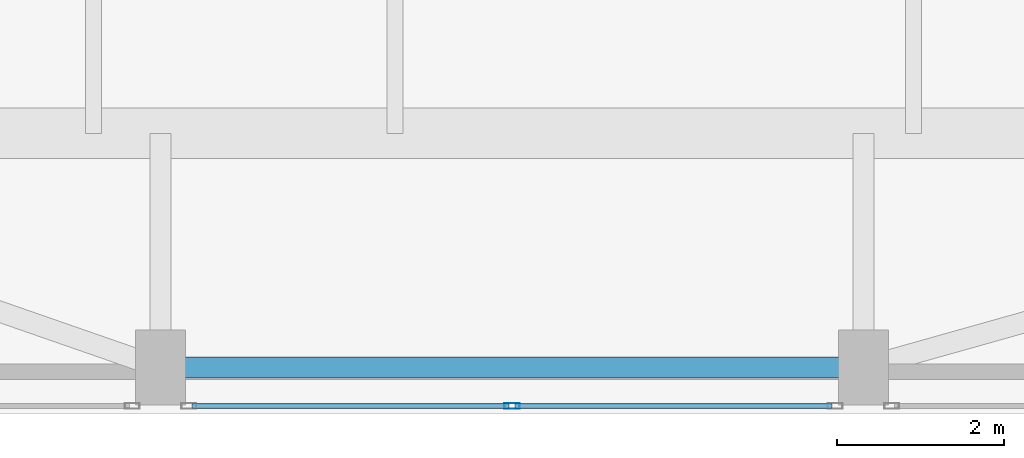
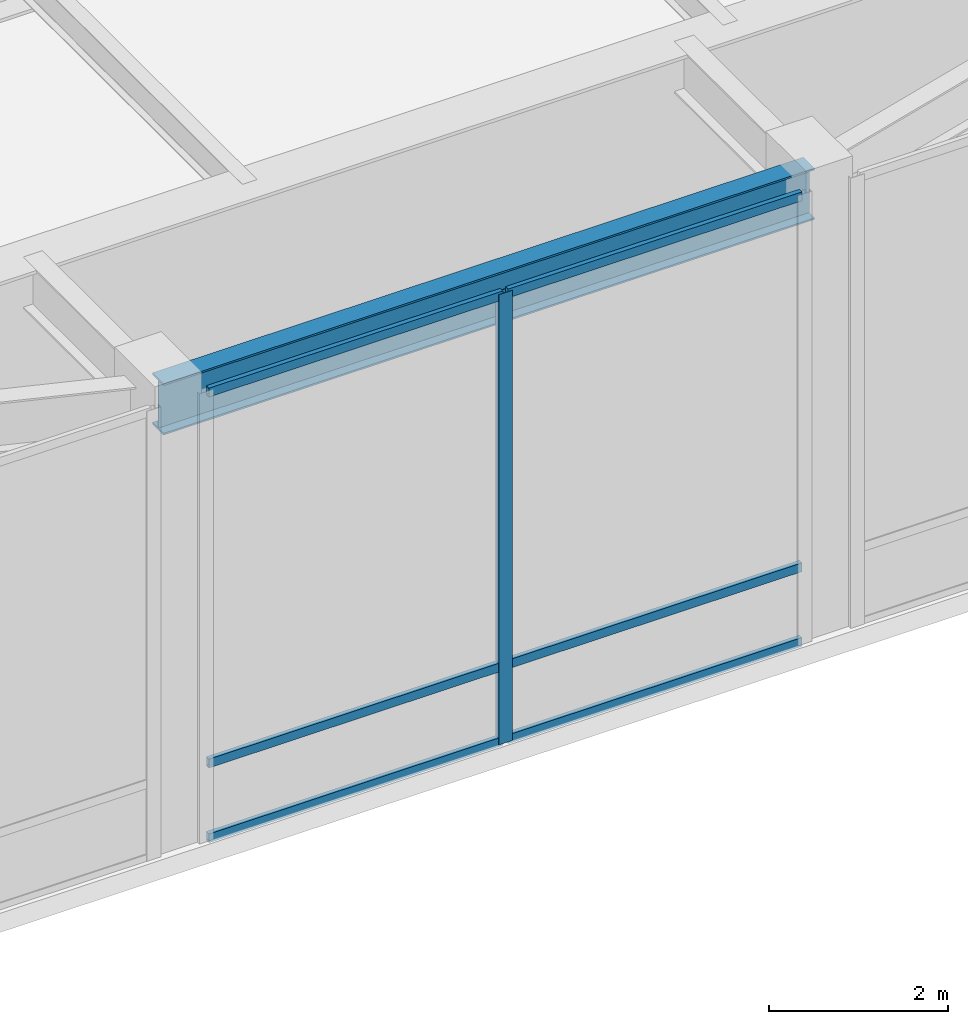
# One storey, part 3 of 50: 7 members, 1 beam, 1 element without a shape of its own.
"""IFC4 building model written with IfcOpenShell, lengths in metres."""

from ifc_helpers import new_model, si_unit, direction, frame, origin, origin_2d, place, context, subcontext, project, spatial, hollow_rectangle, i_section, extrude, source, transform, mapped, material, layer, layer_set, material_profile, profile_set, type_object, type_shapes, element, aggregate, save


model = new_model("IFC4")

# Units and contexts
model_context = context("Model", 3, precision=1e-05, world=origin(), true_north=direction((0.0, 1.0)))
body_context = subcontext(model_context, "Body", "Model", "MODEL_VIEW")
ifc_project = project(units=[si_unit("LENGTHUNIT", "METRE"), si_unit("AREAUNIT", "SQUARE_METRE"), si_unit("VOLUMEUNIT", "CUBIC_METRE"), si_unit("PLANEANGLEUNIT", "RADIAN"), si_unit("MASSUNIT", "GRAM", prefix="KILO")], contexts=[model_context])

# Site, building, storey
site_placement = place(None, origin())
site = spatial("IfcSite", under=ifc_project, at=site_placement, CompositionType="ELEMENT")
building_placement = place(site_placement, origin())
building = spatial("IfcBuilding", under=site, at=building_placement, Name="Tolvann Quenvar Hotel", CompositionType="ELEMENT")
storey_placement = place(building_placement, frame((0.0, 0.0, 16.0)))
storey = spatial("IfcBuildingStorey", under=building, at=storey_placement, Name="L03", CompositionType="ELEMENT", Elevation=16.0)

# Beam
ifc_material_1 = material(Name="Steel Grade 350", Category="steel")
ifc_material_profile_1 = material_profile(ifc_material_1, i_section(OverallWidth=0.25, OverallDepth=0.699951171875, WebThickness=0.010009765625, FlangeThickness=0.02392578125, at=origin_2d()), Name="700WB150")
ifc_profile_set_1 = profile_set([ifc_material_profile_1], Name="Steel Grade 350")
beam_type = type_object("IfcBeamType", Name="BM_GIRD_700WB150", PredefinedType="BEAM", material=ifc_profile_set_1)
shared_shape_1 = source(origin(), body_context, "Body", "SweptSolid", [
    extrude(i_section(OverallWidth=0.25, OverallDepth=0.699951171875, WebThickness=0.010009765625, FlangeThickness=0.02392578125, at=origin_2d()), origin(), (0.0, 0.0, 1.0), 8.400146484375),
])
type_shapes(beam_type, [shared_shape_1])
beam_placement = place(storey_placement, frame((0.39990234375, -1.949951171875, 5.7900390625), z_axis=(1.0, 0.0, 0.0), x_axis=(0.0, 1.0, 0.0)))
element("IfcBeam", 1, at=beam_placement, inside=storey, type_object=beam_type, Name="BM-L03-EWS-W1", PredefinedType="BEAM", context=body_context, shape_type="MappedRepresentation", body=[
    mapped(shared_shape_1, transform((0.0, 0.0, 0.0), x_axis=(1.0, 0.0, 0.0), y_axis=(0.0, 1.0, 0.0), z_axis=(0.0, 0.0, 1.0), scale=1.0)),
])

# Curtain wall, members
ifc_material_2 = material(Name="Thermally broken anodised architectural aluminium 6063-T6 and laminated low-E glass", Category="aluminium")
ifc_layer = layer(ifc_material_2, 0.179931640625)
ifc_layer_set = layer_set([ifc_layer], Name="Thermally broken anodised architectural aluminium 6063-T6 and laminated low-E glass")
curtain_wall_type = type_object("IfcCurtainWallType", Name="CW_SYS_BALL_02", PredefinedType="USERDEFINED", material=ifc_layer_set)
curtain_wall_placement = place(storey_placement, origin())
curtain_wall = element("IfcCurtainWall", 2, at=curtain_wall_placement, inside=storey, type_object=curtain_wall_type, Name="Curtain Wall CW-BALL-02 (CWR-L03-E08-S2)", ObjectType="UNITISED CURTAIN WALL", PredefinedType="USERDEFINED")
ifc_material_3 = material(Name="Anodised architectural aluminium 6063-T6 framing", Category="aluminium")
ifc_material_profile_2 = material_profile(ifc_material_3, hollow_rectangle(XDim=0.06005859375, YDim=0.1201171875, WallThickness=0.00341796875, at=origin_2d()), Name="120x60x3.5RHS")
ifc_profile_set_2 = profile_set([ifc_material_profile_2], Name="Anodised architectural aluminium 6063-T6 framing")
member_type_1 = type_object("IfcMemberType", Name="CW_TRAN_120x60", PredefinedType="USERDEFINED", material=ifc_profile_set_2)
shared_shape_2 = source(origin(), body_context, "Body", "SweptSolid", [
    extrude(hollow_rectangle(XDim=0.06005859375, YDim=0.1201171875, WallThickness=0.00341796875, at=origin_2d()), origin(), (0.0, 0.0, 1.0), 3.791015625),
])
type_shapes(member_type_1, [shared_shape_2])
member_1_placement = place(storey_placement, frame((0.77392578125, -2.409912109375, 0.030029296875), z_axis=(1.0, 0.0, 0.0), x_axis=(0.0, 1.0, 0.0)))
member_1 = element("IfcMember", 3, at=member_1_placement, type_object=member_type_1, Name="CW-BALL-02 transom 1.1", ObjectType="TRANSOM", PredefinedType="USERDEFINED", context=body_context, shape_type="MappedRepresentation", body=[
    mapped(shared_shape_2, transform((0.0, 0.0, 0.0), x_axis=(1.0, 0.0, 0.0), y_axis=(0.0, 1.0, 0.0), z_axis=(0.0, 0.0, 1.0), scale=1.0)),
])
member_2_placement = place(storey_placement, frame((0.77392578125, -2.409912109375, 1.050048828125), z_axis=(1.0, 0.0, 0.0), x_axis=(0.0, 1.0, 0.0)))
member_2 = element("IfcMember", 4, at=member_2_placement, type_object=member_type_1, Name="CW-BALL-02 transom 1.2", ObjectType="TRANSOM", PredefinedType="USERDEFINED", context=body_context, shape_type="MappedRepresentation", body=[
    mapped(shared_shape_2, transform((0.0, 0.0, 0.0), x_axis=(1.0, 0.0, 0.0), y_axis=(0.0, 1.0, 0.0), z_axis=(0.0, 0.0, 1.0), scale=1.0)),
])
member_3_placement = place(storey_placement, frame((0.77392578125, -2.409912109375, 6.110107421875), z_axis=(1.0, 0.0, 0.0), x_axis=(0.0, 1.0, 0.0)))
member_3 = element("IfcMember", 5, at=member_3_placement, type_object=member_type_1, Name="CW-BALL-02 transom 1.3", ObjectType="TRANSOM", PredefinedType="USERDEFINED", context=body_context, shape_type="MappedRepresentation", body=[
    mapped(shared_shape_2, transform((0.0, 0.0, 0.0), x_axis=(1.0, 0.0, 0.0), y_axis=(0.0, 1.0, 0.0), z_axis=(0.0, 0.0, 1.0), scale=1.0)),
])
member_4_placement = place(storey_placement, frame((4.635009765625, -2.409912109375, 0.030029296875), z_axis=(1.0, 0.0, 0.0), x_axis=(0.0, 1.0, 0.0)))
member_4 = element("IfcMember", 6, at=member_4_placement, type_object=member_type_1, Name="CW-BALL-02 transom 2.1", ObjectType="TRANSOM", PredefinedType="USERDEFINED", context=body_context, shape_type="MappedRepresentation", body=[
    mapped(shared_shape_2, transform((0.0, 0.0, 0.0), x_axis=(1.0, 0.0, 0.0), y_axis=(0.0, 1.0, 0.0), z_axis=(0.0, 0.0, 1.0), scale=1.0)),
])
member_5_placement = place(storey_placement, frame((4.635009765625, -2.409912109375, 1.050048828125), z_axis=(1.0, 0.0, 0.0), x_axis=(0.0, 1.0, 0.0)))
member_5 = element("IfcMember", 7, at=member_5_placement, type_object=member_type_1, Name="CW-BALL-02 transom 2.2", ObjectType="TRANSOM", PredefinedType="USERDEFINED", context=body_context, shape_type="MappedRepresentation", body=[
    mapped(shared_shape_2, transform((0.0, 0.0, 0.0), x_axis=(1.0, 0.0, 0.0), y_axis=(0.0, 1.0, 0.0), z_axis=(0.0, 0.0, 1.0), scale=1.0)),
])
member_6_placement = place(storey_placement, frame((4.635009765625, -2.409912109375, 6.110107421875), z_axis=(1.0, 0.0, 0.0), x_axis=(0.0, 1.0, 0.0)))
member_6 = element("IfcMember", 8, at=member_6_placement, type_object=member_type_1, Name="CW-BALL-02 transom 2.3", ObjectType="TRANSOM", PredefinedType="USERDEFINED", context=body_context, shape_type="MappedRepresentation", body=[
    mapped(shared_shape_2, transform((0.0, 0.0, 0.0), x_axis=(1.0, 0.0, 0.0), y_axis=(0.0, 1.0, 0.0), z_axis=(0.0, 0.0, 1.0), scale=1.0)),
])
ifc_material_profile_3 = material_profile(ifc_material_3, hollow_rectangle(XDim=0.070068359375, YDim=0.179931640625, WallThickness=0.00390625, at=origin_2d()), Name="180x70x4RHS")
ifc_profile_set_3 = profile_set([ifc_material_profile_3], Name="Anodised architectural aluminium 6063-T6 framing")
member_type_2 = type_object("IfcMemberType", Name="CW_MULL_180x70", PredefinedType="MULLION", material=ifc_profile_set_3)
shared_shape_3 = source(origin(), body_context, "Body", "SweptSolid", [
    extrude(hollow_rectangle(XDim=0.070068359375, YDim=0.179931640625, WallThickness=0.00390625, at=origin_2d()), origin(), (0.0, 0.0, 1.0), 6.139892578125),
])
type_shapes(member_type_2, [shared_shape_3])
member_7_placement = place(storey_placement, frame((4.60009765625, -2.409912109375, 0.0), z_axis=(0.0, 0.0, 1.0), x_axis=(0.0, 1.0, 0.0)))
member_7 = element("IfcMember", 9, at=member_7_placement, type_object=member_type_2, Name="CW-BALL-02 mullion 2", PredefinedType="MULLION", context=body_context, shape_type="MappedRepresentation", body=[
    mapped(shared_shape_3, transform((0.0, 0.0, 0.0), x_axis=(1.0, 0.0, 0.0), y_axis=(0.0, 1.0, 0.0), z_axis=(0.0, 0.0, 1.0), scale=1.0)),
])
aggregate(curtain_wall, [member_7, member_1, member_2, member_3, member_4, member_5, member_6])

save(model, "model.ifc")
